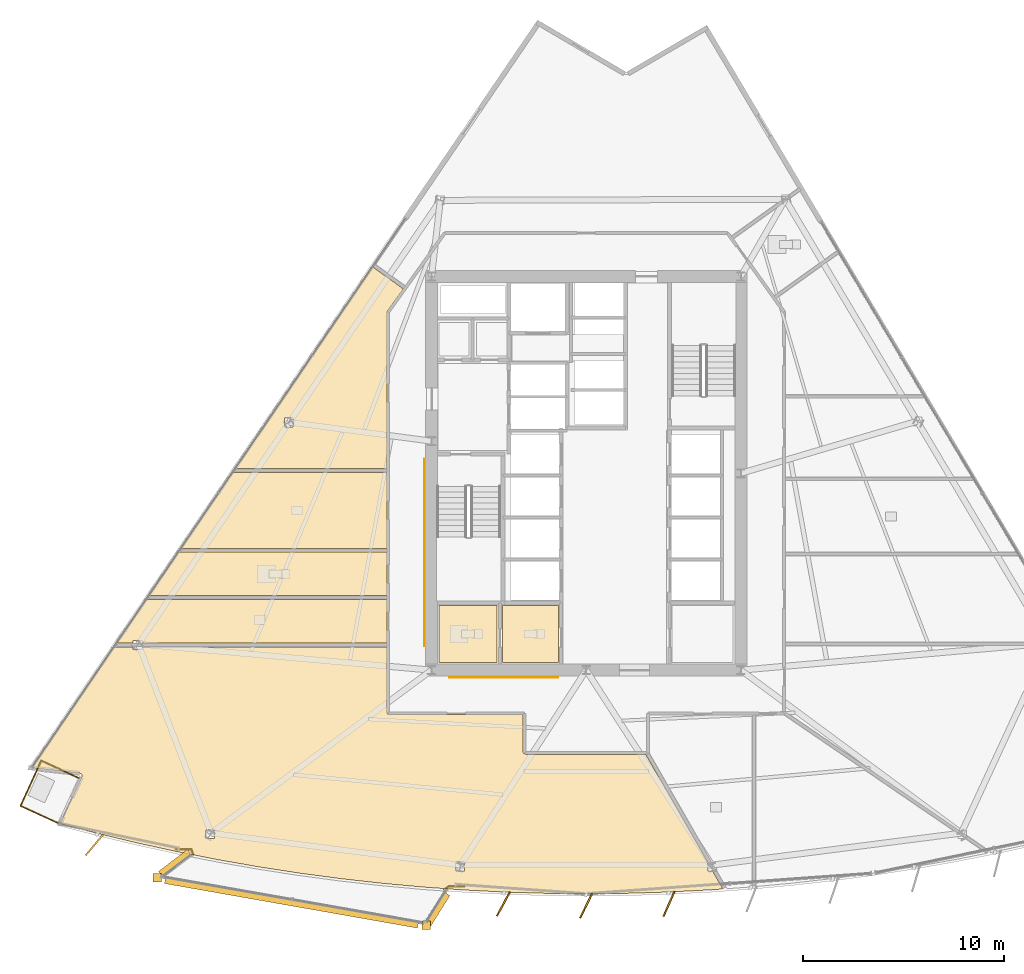
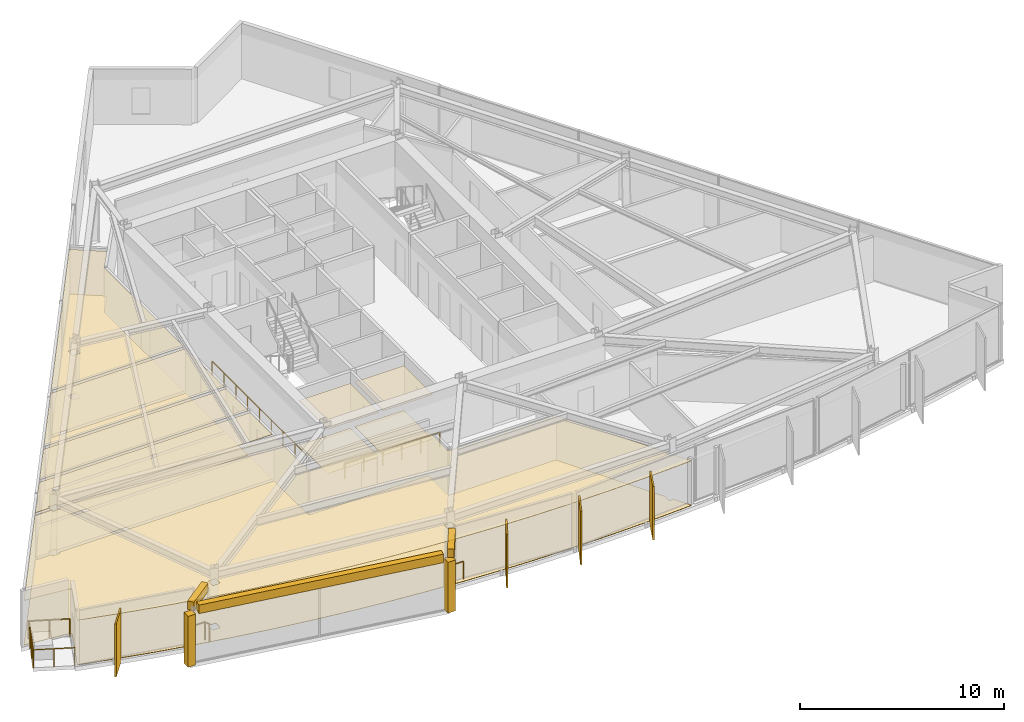
# One storey, part 11 of 15: 19 coverings, 7 railings, 4 shading devices.
"""IFC4 building model written with IfcOpenShell, lengths in metres."""

import ifcopenshell
import ifcopenshell.guid

model = None  # the IFC model being written
_history = None  # IfcOwnerHistory: only IFC2X3 demands one
_inside = {}  # id of a spatial element -> (the spatial element, [elements in it])
_under = {}  # id of a project, library or spatial element -> (it, [spatial elements below it])
_declared = {}  # id of a project -> (the project, [libraries it declares])
_typed = {}  # id of a type object -> (the type object, [elements of that type])
_made_of = {}  # id of a material, layer set ... -> (it, [elements and type objects made of it])


def new_model(schema):
    """Start an empty IFC model of exactly this schema.

    Asked for "IFC4X3", IfcOpenShell would pick the latest addendum, in which some entities
    have other attributes; the version numbers below select the first issue.
    IFC2X3 requires an IfcOwnerHistory on every rooted entity: one is made here for all.
    """
    global model, _history
    if schema == "IFC4X3":
        model = ifcopenshell.file(schema_version=(4, 3, 0, 0))
    else:
        model = ifcopenshell.file(schema=schema)
    _inside.clear()
    _under.clear()
    _declared.clear()
    _typed.clear()
    _made_of.clear()
    _history = None
    if model.schema == "IFC2X3":
        org = make("IfcOrganization", Name="unknown")
        user = make(
            "IfcPersonAndOrganization",
            ThePerson=make("IfcPerson", FamilyName="unknown"),
            TheOrganization=org,
        )
        app = make(
            "IfcApplication",
            ApplicationDeveloper=org,
            Version="unknown",
            ApplicationFullName="unknown",
            ApplicationIdentifier="unknown",
        )
        _history = make(
            "IfcOwnerHistory",
            OwningUser=user,
            OwningApplication=app,
            ChangeAction="ADDED",
            CreationDate=0,
        )
    return model


def make(cls, **values):
    """One entity of the class cls with the attributes given. An attribute that is None is left unset."""
    return model.create_entity(
        cls, **{name: value for name, value in values.items() if value is not None}
    )


def rooted(cls, **values):
    """An entity with a GlobalId (a new one), such as an element, a storey or a relation."""
    return make(cls, GlobalId=ifcopenshell.guid.new(), OwnerHistory=_history, **values)


def si_unit(unit_type, name, prefix=None):
    """IfcSIUnit, for example si_unit("LENGTHUNIT", "METRE", prefix="MILLI")."""
    return make("IfcSIUnit", UnitType=unit_type, Prefix=prefix, Name=name)


def assignment(units):
    """IfcUnitAssignment: the units of a project."""
    return None if units is None else make("IfcUnitAssignment", Units=units)


def point(xyz):
    """IfcCartesianPoint."""
    return None if xyz is None else make("IfcCartesianPoint", Coordinates=xyz)


def direction(xyz):
    """IfcDirection."""
    return None if xyz is None else make("IfcDirection", DirectionRatios=xyz)


def frame(location, z_axis=None, x_axis=None):
    """IfcAxis2Placement3D, a coordinate frame: its origin and axes. An axis left out is left unset."""
    return make(
        "IfcAxis2Placement3D",
        Location=point(location),
        Axis=direction(z_axis),
        RefDirection=direction(x_axis),
    )


def frame_2d(location, x_axis=None):
    """IfcAxis2Placement2D, a coordinate frame in the plane: its origin and x axis."""
    return make(
        "IfcAxis2Placement2D", Location=point(location), RefDirection=direction(x_axis)
    )


def origin():
    """The frame at (0, 0, 0) with its axes left unset."""
    return frame((0.0, 0.0, 0.0))


def origin_2d():
    """The frame at (0, 0) in the plane with its x axis left unset."""
    return frame_2d((0.0, 0.0))


def place(relative_to, where):
    """IfcLocalPlacement: puts the frame where relative to a parent placement (None: the world)."""
    return make(
        "IfcLocalPlacement", PlacementRelTo=relative_to, RelativePlacement=where
    )


def context(
    kind, dimensions, precision=None, world=None, true_north=None, identifier=None
):
    """IfcGeometricRepresentationContext, for example the 3D "Model" context."""
    return make(
        "IfcGeometricRepresentationContext",
        ContextIdentifier=identifier,
        ContextType=kind,
        CoordinateSpaceDimension=dimensions,
        Precision=precision,
        WorldCoordinateSystem=world,
        TrueNorth=true_north,
    )


def subcontext(parent, identifier, kind, view, scale=None):
    """IfcGeometricRepresentationSubContext, for example "Body" below "Model"."""
    return make(
        "IfcGeometricRepresentationSubContext",
        ContextIdentifier=identifier,
        ContextType=kind,
        ParentContext=parent,
        TargetScale=scale,
        TargetView=view,
    )


def project(units=None, contexts=None):
    """IfcProject with its units and contexts."""
    return rooted(
        "IfcProject",
        Name="project",
        RepresentationContexts=contexts,
        UnitsInContext=assignment(units),
    )


def spatial(cls, under=None, at=None, **own):
    """A site, building, storey or space (cls), placed at a placement, below another one or the project."""
    s = rooted(cls, ObjectPlacement=at, **own)
    if under is not None:
        _under.setdefault(under.id(), (under, []))[1].append(s)
    return s


def polyline(points):
    """IfcPolyline through the points."""
    return make("IfcPolyline", Points=[point(p) for p in points])


def profile(cls, at=None, kind="AREA", **sizes):
    """A parametric profile (cls). Its sizes go by their IFC names, for example OverallWidth=200.0."""
    return make(cls, ProfileType=kind, Position=at, **sizes)


def rectangle(**sizes):
    """IfcRectangleProfileDef."""
    return profile("IfcRectangleProfileDef", **sizes)


def circle(**sizes):
    """IfcCircleProfileDef."""
    return profile("IfcCircleProfileDef", **sizes)


def outline(outer, holes=None, kind="AREA"):
    """IfcArbitraryClosedProfileDef: a profile drawn as a closed curve; with holes, ...WithVoids."""
    if holes is None:
        return make("IfcArbitraryClosedProfileDef", ProfileType=kind, OuterCurve=outer)
    return make(
        "IfcArbitraryProfileDefWithVoids",
        ProfileType=kind,
        OuterCurve=outer,
        InnerCurves=holes,
    )


def extrude(swept, where, along, depth):
    """IfcExtrudedAreaSolid: the profile swept, set in the frame where, extruded along a direction by depth."""
    return make(
        "IfcExtrudedAreaSolid",
        SweptArea=swept,
        Position=where,
        ExtrudedDirection=direction(along),
        Depth=depth,
    )


def shape(context_of_items, identifier, shape_type, items):
    """IfcShapeRepresentation: the items that make up one representation, for example the "Body"."""
    return make(
        "IfcShapeRepresentation",
        ContextOfItems=context_of_items,
        RepresentationIdentifier=identifier,
        RepresentationType=shape_type,
        Items=items,
    )


def material(Name=None, Category=None):
    """IfcMaterial."""
    return make("IfcMaterial", Name=Name, Category=Category)


def layer(
    of_material, thickness, ventilated=None, Name=None, Category=None, Priority=None
):
    """IfcMaterialLayer: one layer of a wall or slab, of a material (None: an air gap)."""
    return make(
        "IfcMaterialLayer",
        Material=of_material,
        LayerThickness=thickness,
        IsVentilated=ventilated,
        Name=Name,
        Category=Category,
        Priority=Priority,
    )


def layer_set(layers, Name=None):
    """IfcMaterialLayerSet."""
    return make("IfcMaterialLayerSet", MaterialLayers=layers, LayerSetName=Name)


def made_of(thing, what):
    """Note that an element or type object is made of a material, layer set ...; save() writes the relation."""
    if what is not None:
        _made_of.setdefault(what.id(), (what, []))[1].append(thing)
    return thing


def type_object(cls, material=None, **own):
    """A type object (cls), such as IfcWallType, which elements share."""
    return made_of(rooted(cls, **own), material)


def element(
    cls,
    number,
    at=None,
    inside=None,
    cuts=None,
    type_object=None,
    material=None,
    context=None,
    identifier="Body",
    shape_type=None,
    held_by="IfcProductDefinitionShape",
    body=None,
    shapes=None,
    **own,
):
    """One element of the class cls, such as IfcWall. Its Tag is "e" and its number.

    at: its placement. inside: the storey or other place that contains it. cuts: it is an
    opening in that element (IfcRelVoidsElement). A single representation is given by context,
    identifier, shape_type and body (its items); several are given by shapes. held_by: the class
    of the entity that holds the representations. save() writes the other relations.
    """
    e = rooted(cls, Tag="e%d" % number, ObjectPlacement=at, **own)
    if body is not None:
        shapes = [shape(context, identifier, shape_type, body)]
    if shapes is not None:
        e.Representation = make(held_by, Representations=shapes)
    if inside is not None:
        _inside.setdefault(inside.id(), (inside, []))[1].append(e)
    if cuts is not None:
        rooted(
            "IfcRelVoidsElement", RelatingBuildingElement=cuts, RelatedOpeningElement=e
        )
    if type_object is not None:
        _typed.setdefault(type_object.id(), (type_object, []))[1].append(e)
    return made_of(e, material)


def aggregate(whole, parts):
    """IfcRelAggregates: a whole, such as a stair, and the parts it consists of."""
    return rooted("IfcRelAggregates", RelatingObject=whole, RelatedObjects=parts)


def save(model, path):
    """Write the relations noted so far, then the file.

    IfcRelAggregates (storeys below a building ...), IfcRelContainedInSpatialStructure (elements
    in a storey), IfcRelDefinesByType, IfcRelAssociatesMaterial and IfcRelDeclares: one each for
    every whole, place, type object, material and project.
    """
    for whole, parts in _under.values():
        aggregate(whole, parts)
    for where, things in _inside.values():
        rooted(
            "IfcRelContainedInSpatialStructure",
            RelatedElements=things,
            RelatingStructure=where,
        )
    for kind, things in _typed.values():
        rooted("IfcRelDefinesByType", RelatedObjects=things, RelatingType=kind)
    for what, things in _made_of.values():
        rooted("IfcRelAssociatesMaterial", RelatedObjects=things, RelatingMaterial=what)
    for by, libraries in _declared.values():
        rooted("IfcRelDeclares", RelatingContext=by, RelatedDefinitions=libraries)
    model.write(path)


model = new_model("IFC4")

# Units and contexts
model_context = context("Model", 3, precision=1e-05, world=origin(), true_north=direction((0.0, 1.0)))
body_context = subcontext(model_context, "Body", "Model", "MODEL_VIEW")
ifc_project = project(units=[si_unit("LENGTHUNIT", "METRE"), si_unit("AREAUNIT", "SQUARE_METRE"), si_unit("VOLUMEUNIT", "CUBIC_METRE"), si_unit("PLANEANGLEUNIT", "RADIAN"), si_unit("MASSUNIT", "GRAM", prefix="KILO")], contexts=[model_context])

# Site, building, storey
site_placement = place(None, origin())
site = spatial("IfcSite", under=ifc_project, at=site_placement, CompositionType="ELEMENT")
building_placement = place(site_placement, origin())
building = spatial("IfcBuilding", under=site, at=building_placement, Name="Savorim Split Tower", CompositionType="ELEMENT")
storey_placement = place(building_placement, frame((0.0, 0.0, 107.699951171875)))
storey = spatial("IfcBuildingStorey", under=building, at=storey_placement, Name="L28", CompositionType="ELEMENT", Elevation=107.699951171875)

# Coverings
ifc_material_1 = material(Name="Mineral Fibre Acoustic Ceiling")
ifc_layer_1 = layer(ifc_material_1, 0.02490234375)
ifc_layer_set_1 = layer_set([ifc_layer_1], Name="COV-CEIL-25")
covering_type_1 = type_object("IfcCoveringType", Name="COV-CEIL-25", PredefinedType="CEILING", material=ifc_layer_set_1)
covering_1_placement = place(storey_placement, frame((0.0, 0.0, 2.670166015625)))
element("IfcCovering", 1, at=covering_1_placement, inside=storey, type_object=covering_type_1, Name="L28 Shared Bathroom Acoustic Ceiling", PredefinedType="CEILING", context=body_context, shape_type="SweptSolid", body=[
    extrude(outline(polyline([(-7.320068359375, -6.179931640625), (-7.320068359375, -9.02001953125), (-4.429931640625, -9.02001953125), (-4.429931640625, -6.179931640625), (-7.320068359375, -6.179931640625)])), origin(), (0.0, 0.0, 1.0), 0.02490234375),
])
covering_2_placement = place(storey_placement, frame((0.0, 0.0, 2.670166015625)))
element("IfcCovering", 2, at=covering_2_placement, inside=storey, type_object=covering_type_1, Name="L28 Accessible WC Acoustic Ceiling", PredefinedType="CEILING", context=body_context, shape_type="SweptSolid", body=[
    extrude(outline(polyline([(-4.169921875, -6.179931640625), (-4.169921875, -9.02001953125), (-1.3798828125, -9.02001953125), (-1.3798828125, -6.179931640625), (-4.169921875, -6.179931640625)])), origin(), (0.0, 0.0, 1.0), 0.02490234375),
])
covering_3_placement = place(storey_placement, frame((0.0, 0.0, 2.670166015625)))
element("IfcCovering", 3, at=covering_3_placement, inside=storey, type_object=covering_type_1, Name="L28 Shared Kitchen Acoustic Ceiling", PredefinedType="CEILING", context=body_context, shape_type="SweptSolid", body=[
    extrude(outline(polyline([(-17.597412109375, 0.44677734375), (-20.173095703125, -3.33984375), (-9.919921875, -3.33984375), (-9.919921875, 0.44677734375), (-17.597412109375, 0.44677734375)])), origin(), (0.0, 0.0, 1.0), 0.02490234375),
])
covering_4_placement = place(storey_placement, frame((0.0, 0.0, 2.670166015625)))
element("IfcCovering", 4, at=covering_4_placement, inside=storey, type_object=covering_type_1, Name="L28 Shared Bathroom Acoustic Ceiling", PredefinedType="CEILING", context=body_context, shape_type="SweptSolid", body=[
    extrude(outline(polyline([(-20.302490234375, -3.52978515625), (-21.7744140625, -5.693603515625), (-9.919921875, -5.693603515625), (-9.919921875, -3.52978515625), (-20.302490234375, -3.52978515625)])), origin(), (0.0, 0.0, 1.0), 0.02490234375),
])
covering_5_placement = place(storey_placement, frame((0.0, 0.0, 2.670166015625)))
element("IfcCovering", 5, at=covering_5_placement, inside=storey, type_object=covering_type_1, Name="L28 Community Laundry Room Acoustic Ceiling", PredefinedType="CEILING", context=body_context, shape_type="SweptSolid", body=[
    extrude(outline(polyline([(-22.12646484375, -7.924560546875), (-22.12646484375, -8.047607421875), (-9.919921875, -8.047607421875), (-9.919921875, -5.8837890625), (-21.90380859375, -5.8837890625), (-23.375732421875, -8.047607421875), (-22.552490234375, -8.047607421875), (-22.552490234375, -7.924560546875), (-22.12646484375, -7.924560546875)])), origin(), (0.0, 0.0, 1.0), 0.02490234375),
])
covering_6_placement = place(storey_placement, frame((0.0, 0.0, 2.670166015625)))
element("IfcCovering", 6, at=covering_6_placement, inside=storey, type_object=covering_type_1, Name="L28 Co-Working Commons Acoustic Ceiling", PredefinedType="CEILING", context=body_context, shape_type="SweptSolid", body=[
    extrude(outline(polyline([(-25.099609375, -14.64453125), (-25.099365234375, -14.656494140625), (-25.100341796875, -14.66845703125), (-25.1025390625, -14.68017578125), (-25.105712890625, -14.691650390625), (-25.1103515625, -14.70263671875), (-26.186279296875, -17.044921875), (-24.34130859375, -17.52734375), (-22.348876953125, -18.005126953125), (-20.34716796875, -18.44189453125), (-18.336669921875, -18.837890625), (-16.318603515625, -19.1923828125), (-14.2939453125, -19.505615234375), (-12.262939453125, -19.77734375), (-10.22705078125, -20.007568359375), (-8.186767578125, -20.196044921875), (-6.14306640625, -20.342529296875), (-4.0966796875, -20.447509765625), (-2.048828125, -20.51025390625), (0.0, -20.53125), (2.048828125, -20.51025390625), (4.0966796875, -20.447509765625), (6.14306640625, -20.342529296875), (6.804443359375, -20.295166015625), (6.287109375, -19.3916015625), (6.058837890625, -19.3916015625), (6.058837890625, -18.99267578125), (2.9833984375, -13.62060546875), (2.966064453125, -13.590087890625), (-3.0, -13.590087890625), (-3.013671875, -13.58935546875), (-3.02734375, -13.58740234375), (-3.04052734375, -13.583984375), (-3.0537109375, -13.579345703125), (-3.06591796875, -13.573486328125), (-3.077880859375, -13.56640625), (-3.0888671875, -13.55810546875), (-3.09912109375, -13.549072265625), (-3.108154296875, -13.538818359375), (-3.116455078125, -13.52783203125), (-3.12353515625, -13.51611328125), (-3.12939453125, -13.503662109375), (-3.134033203125, -13.490478515625), (-3.13720703125, -13.477294921875), (-3.139404296875, -13.463623046875), (-3.139892578125, -13.449951171875), (-3.139892578125, -11.6201171875), (-9.780029296875, -11.6201171875), (-9.793701171875, -11.619384765625), (-9.807373046875, -11.6171875), (-9.820556640625, -11.614013671875), (-9.83349609375, -11.609375), (-9.845947265625, -11.603515625), (-9.85791015625, -11.596435546875), (-9.868896484375, -11.588134765625), (-9.87890625, -11.5791015625), (-9.88818359375, -11.56884765625), (-9.896484375, -11.557861328125), (-9.903564453125, -11.5458984375), (-9.9091796875, -11.53369140625), (-9.9140625, -11.5205078125), (-9.917236328125, -11.50732421875), (-9.919189453125, -11.49365234375), (-9.919921875, -11.47998046875), (-9.919921875, -8.237548828125), (-22.12646484375, -8.237548828125), (-22.12646484375, -8.360595703125), (-22.552490234375, -8.360595703125), (-22.552490234375, -8.237548828125), (-23.3798828125, -8.237548828125), (-23.47509765625, -8.237548828125), (-23.47509765625, -8.193359375), (-27.605712890625, -14.265380859375), (-25.2060546875, -14.533203125), (-25.194091796875, -14.535400390625), (-25.1826171875, -14.538330078125), (-25.17138671875, -14.54248046875), (-25.160888671875, -14.5478515625), (-25.150634765625, -14.55419921875), (-25.141357421875, -14.561279296875), (-25.132568359375, -14.569580078125), (-25.124755859375, -14.57861328125), (-25.117919921875, -14.58837890625), (-25.112060546875, -14.598876953125), (-25.107177734375, -14.609619140625), (-25.103515625, -14.62109375), (-25.10107421875, -14.6328125), (-25.099609375, -14.64453125)]), holes=[polyline([(-18.926025390625, -17.794189453125), (-18.5, -17.794189453125), (-18.5, -17.358154296875), (-18.926025390625, -17.358154296875), (-18.926025390625, -17.794189453125)]), polyline([(-6.48486328125, -19.3916015625), (-6.058837890625, -19.3916015625), (-6.058837890625, -18.95556640625), (-6.48486328125, -18.95556640625), (-6.48486328125, -19.3916015625)])]), origin(), (0.0, 0.0, 1.0), 0.02490234375),
])
covering_7_placement = place(storey_placement, frame((0.0, 0.0, 2.670166015625)))
element("IfcCovering", 7, at=covering_7_placement, inside=storey, type_object=covering_type_1, Name="L28 Quiet Study Room Acoustic Ceiling", PredefinedType="CEILING", context=body_context, shape_type="SweptSolid", body=[
    extrude(outline(polyline([(-9.908203125, 8.456298828125), (-9.901611328125, 8.46923828125), (-9.893798828125, 8.4814453125), (-9.10498046875, 9.58251953125), (-10.63623046875, 10.679443359375), (-17.468017578125, 0.63671875), (-9.919921875, 0.63671875), (-9.919921875, 8.39990234375), (-9.919189453125, 8.41455078125), (-9.9169921875, 8.4287109375), (-9.913330078125, 8.44287109375), (-9.908203125, 8.456298828125)]), holes=[polyline([(-15.0224609375, 3.14453125), (-15.0224609375, 2.70849609375), (-14.596435546875, 2.70849609375), (-14.596435546875, 3.14453125), (-15.0224609375, 3.14453125)])]), origin(), (0.0, 0.0, 1.0), 0.02490234375),
])
ifc_material_2 = material(Name="Porcelain Stoneware Flooring", Category="masonry")
ifc_layer_2 = layer(ifc_material_2, 0.02001953125)
ifc_layer_set_2 = layer_set([ifc_layer_2], Name="COV-FLOR-20")
covering_type_2 = type_object("IfcCoveringType", Name="COV-FLOR-20", PredefinedType="FLOORING", material=ifc_layer_set_2)
covering_8_placement = place(storey_placement, origin())
element("IfcCovering", 8, at=covering_8_placement, inside=storey, type_object=covering_type_2, Name="L28 Shared Bathroom Porcelain Flooring", PredefinedType="FLOORING", context=body_context, shape_type="SweptSolid", body=[
    extrude(outline(polyline([(-7.320068359375, -6.179931640625), (-7.320068359375, -9.02001953125), (-4.429931640625, -9.02001953125), (-4.429931640625, -6.179931640625), (-7.320068359375, -6.179931640625)])), origin(), (0.0, 0.0, 1.0), 0.02001953125),
])
covering_9_placement = place(storey_placement, origin())
element("IfcCovering", 9, at=covering_9_placement, inside=storey, type_object=covering_type_2, Name="L28 Accessible WC Porcelain Flooring", PredefinedType="FLOORING", context=body_context, shape_type="SweptSolid", body=[
    extrude(outline(polyline([(-4.169921875, -6.179931640625), (-4.169921875, -9.02001953125), (-1.3798828125, -9.02001953125), (-1.3798828125, -6.179931640625), (-4.169921875, -6.179931640625)])), origin(), (0.0, 0.0, 1.0), 0.02001953125),
])
covering_10_placement = place(storey_placement, origin())
element("IfcCovering", 10, at=covering_10_placement, inside=storey, type_object=covering_type_2, Name="L28 Shared Kitchen Porcelain Flooring", PredefinedType="FLOORING", context=body_context, shape_type="SweptSolid", body=[
    extrude(outline(polyline([(-17.597412109375, 0.44677734375), (-20.173095703125, -3.33984375), (-9.919921875, -3.33984375), (-9.919921875, 0.44677734375), (-17.597412109375, 0.44677734375)])), origin(), (0.0, 0.0, 1.0), 0.02001953125),
])
covering_11_placement = place(storey_placement, origin())
element("IfcCovering", 11, at=covering_11_placement, inside=storey, type_object=covering_type_2, Name="L28 Shared Bathroom Porcelain Flooring", PredefinedType="FLOORING", context=body_context, shape_type="SweptSolid", body=[
    extrude(outline(polyline([(-20.302490234375, -3.52978515625), (-21.7744140625, -5.693603515625), (-9.919921875, -5.693603515625), (-9.919921875, -3.52978515625), (-20.302490234375, -3.52978515625)])), origin(), (0.0, 0.0, 1.0), 0.02001953125),
])
covering_12_placement = place(storey_placement, origin())
element("IfcCovering", 12, at=covering_12_placement, inside=storey, type_object=covering_type_2, Name="L28 Community Laundry Room Porcelain Flooring", PredefinedType="FLOORING", context=body_context, shape_type="SweptSolid", body=[
    extrude(outline(polyline([(-22.12646484375, -7.924560546875), (-22.12646484375, -8.047607421875), (-9.919921875, -8.047607421875), (-9.919921875, -5.8837890625), (-21.90380859375, -5.8837890625), (-23.375732421875, -8.047607421875), (-22.552490234375, -8.047607421875), (-22.552490234375, -7.924560546875), (-22.12646484375, -7.924560546875)])), origin(), (0.0, 0.0, 1.0), 0.02001953125),
])
covering_13_placement = place(storey_placement, origin())
element("IfcCovering", 13, at=covering_13_placement, inside=storey, type_object=covering_type_2, Name="L28 Co-Working Commons Porcelain Flooring", PredefinedType="FLOORING", context=body_context, shape_type="SweptSolid", body=[
    extrude(outline(polyline([(-25.099609375, -14.64453125), (-25.099365234375, -14.656494140625), (-25.100341796875, -14.66845703125), (-25.1025390625, -14.68017578125), (-25.105712890625, -14.691650390625), (-25.1103515625, -14.70263671875), (-26.186279296875, -17.044921875), (-24.34130859375, -17.52734375), (-22.348876953125, -18.005126953125), (-20.34716796875, -18.44189453125), (-18.336669921875, -18.837890625), (-16.318603515625, -19.1923828125), (-14.2939453125, -19.505615234375), (-12.262939453125, -19.77734375), (-10.22705078125, -20.007568359375), (-8.186767578125, -20.196044921875), (-6.14306640625, -20.342529296875), (-4.0966796875, -20.447509765625), (-2.048828125, -20.51025390625), (0.0, -20.53125), (2.048828125, -20.51025390625), (4.0966796875, -20.447509765625), (6.14306640625, -20.342529296875), (6.804443359375, -20.295166015625), (6.287109375, -19.3916015625), (6.058837890625, -19.3916015625), (6.058837890625, -18.99267578125), (2.9833984375, -13.62060546875), (2.966064453125, -13.590087890625), (-3.0, -13.590087890625), (-3.013671875, -13.58935546875), (-3.02734375, -13.58740234375), (-3.04052734375, -13.583984375), (-3.0537109375, -13.579345703125), (-3.06591796875, -13.573486328125), (-3.077880859375, -13.56640625), (-3.0888671875, -13.55810546875), (-3.09912109375, -13.549072265625), (-3.108154296875, -13.538818359375), (-3.116455078125, -13.52783203125), (-3.12353515625, -13.51611328125), (-3.12939453125, -13.503662109375), (-3.134033203125, -13.490478515625), (-3.13720703125, -13.477294921875), (-3.139404296875, -13.463623046875), (-3.139892578125, -13.449951171875), (-3.139892578125, -11.6201171875), (-9.780029296875, -11.6201171875), (-9.793701171875, -11.619384765625), (-9.807373046875, -11.6171875), (-9.820556640625, -11.614013671875), (-9.83349609375, -11.609375), (-9.845947265625, -11.603515625), (-9.85791015625, -11.596435546875), (-9.868896484375, -11.588134765625), (-9.87890625, -11.5791015625), (-9.88818359375, -11.56884765625), (-9.896484375, -11.557861328125), (-9.903564453125, -11.5458984375), (-9.9091796875, -11.53369140625), (-9.9140625, -11.5205078125), (-9.917236328125, -11.50732421875), (-9.919189453125, -11.49365234375), (-9.919921875, -11.47998046875), (-9.919921875, -8.237548828125), (-22.12646484375, -8.237548828125), (-22.12646484375, -8.360595703125), (-22.552490234375, -8.360595703125), (-22.552490234375, -8.237548828125), (-23.3798828125, -8.237548828125), (-23.47509765625, -8.237548828125), (-23.47509765625, -8.193359375), (-27.605712890625, -14.265380859375), (-25.2060546875, -14.533203125), (-25.194091796875, -14.535400390625), (-25.1826171875, -14.538330078125), (-25.17138671875, -14.54248046875), (-25.160888671875, -14.5478515625), (-25.150634765625, -14.55419921875), (-25.141357421875, -14.561279296875), (-25.132568359375, -14.569580078125), (-25.124755859375, -14.57861328125), (-25.117919921875, -14.58837890625), (-25.112060546875, -14.598876953125), (-25.107177734375, -14.609619140625), (-25.103515625, -14.62109375), (-25.10107421875, -14.6328125), (-25.099609375, -14.64453125)]), holes=[polyline([(-18.926025390625, -17.794189453125), (-18.5, -17.794189453125), (-18.5, -17.358154296875), (-18.926025390625, -17.358154296875), (-18.926025390625, -17.794189453125)]), polyline([(-6.48486328125, -19.3916015625), (-6.058837890625, -19.3916015625), (-6.058837890625, -18.95556640625), (-6.48486328125, -18.95556640625), (-6.48486328125, -19.3916015625)])]), origin(), (0.0, 0.0, 1.0), 0.02001953125),
])
covering_14_placement = place(storey_placement, origin())
element("IfcCovering", 14, at=covering_14_placement, inside=storey, type_object=covering_type_2, Name="L28 Quiet Study Room Porcelain Flooring", PredefinedType="FLOORING", context=body_context, shape_type="SweptSolid", body=[
    extrude(outline(polyline([(-9.908203125, 8.456298828125), (-9.901611328125, 8.46923828125), (-9.893798828125, 8.4814453125), (-9.10498046875, 9.58251953125), (-10.63623046875, 10.679443359375), (-17.468017578125, 0.63671875), (-9.919921875, 0.63671875), (-9.919921875, 8.39990234375), (-9.919189453125, 8.41455078125), (-9.9169921875, 8.4287109375), (-9.913330078125, 8.44287109375), (-9.908203125, 8.456298828125)]), holes=[polyline([(-15.0224609375, 3.14453125), (-15.0224609375, 2.70849609375), (-14.596435546875, 2.70849609375), (-14.596435546875, 3.14453125), (-15.0224609375, 3.14453125)])]), origin(), (0.0, 0.0, 1.0), 0.02001953125),
])
ifc_material_3 = material(Name="White Porcelain Architectural Cladding")
ifc_layer_3 = layer(ifc_material_3, 0.139892578125)
ifc_layer_set_3 = layer_set([ifc_layer_3], Name="COV-FRM-WHITE")
covering_type_3 = type_object("IfcCoveringType", Name="COV-FRM-WHITE", PredefinedType="CLADDING", material=ifc_layer_set_3)
covering_15_placement = place(storey_placement, frame((0.0, 0.0, 3.080078125)))
element("IfcCovering", 15, at=covering_15_placement, inside=storey, type_object=covering_type_3, Name="L28 Cantilevered Lounge White Upper Cornice Band W", PredefinedType="CLADDING", context=body_context, shape_type="SweptSolid", body=[
    extrude(outline(polyline([(-19.857421875, -18.331787109375), (-21.292236328125, -19.41845703125), (-21.0869140625, -19.689697265625), (-19.652099609375, -18.602783203125), (-19.857421875, -18.331787109375)])), origin(), (0.0, 0.0, 1.0), 0.510009765625),
])
covering_16_placement = place(storey_placement, frame((0.0, 0.0, 3.080078125)))
element("IfcCovering", 16, at=covering_16_placement, inside=storey, type_object=covering_type_3, Name="L28 Cantilevered Lounge White Upper Cornice Band F", PredefinedType="CLADDING", context=body_context, shape_type="SweptSolid", body=[
    extrude(outline(polyline([(-20.9951171875, -20.02490234375), (-8.399169921875, -22.24658203125), (-8.340087890625, -21.911865234375), (-20.93603515625, -19.690185546875), (-20.9951171875, -20.02490234375)])), origin(), (0.0, 0.0, 1.0), 0.510009765625),
])
covering_17_placement = place(storey_placement, frame((0.0, 0.0, 3.080078125)))
element("IfcCovering", 17, at=covering_17_placement, inside=storey, type_object=covering_type_3, Name="L28 Cantilevered Lounge White Upper Cornice Band E", PredefinedType="CLADDING", context=body_context, shape_type="SweptSolid", body=[
    extrude(outline(polyline([(-7.738037109375, -22.148681640625), (-6.781494140625, -20.623779296875), (-7.069580078125, -20.443115234375), (-8.026123046875, -21.968017578125), (-7.738037109375, -22.148681640625)])), origin(), (0.0, 0.0, 1.0), 0.510009765625),
])
covering_18_placement = place(storey_placement, frame((0.0, 0.0, 0.010009765625)))
element("IfcCovering", 18, at=covering_18_placement, inside=storey, type_object=covering_type_3, Name="L28 Cantilevered Lounge White Frame Corner Post 1", PredefinedType="CLADDING", context=body_context, shape_type="SweptSolid", body=[
    extrude(outline(polyline([(-21.560791015625, -19.94873046875), (-21.140625, -19.94873046875), (-21.140625, -19.52880859375), (-21.560791015625, -19.52880859375), (-21.560791015625, -19.94873046875)])), origin(), (0.0, 0.0, 1.0), 3.050048828125),
])
covering_19_placement = place(storey_placement, frame((0.0, 0.0, 0.010009765625)))
element("IfcCovering", 19, at=covering_19_placement, inside=storey, type_object=covering_type_3, Name="L28 Cantilevered Lounge White Frame Corner Post 2", PredefinedType="CLADDING", context=body_context, shape_type="SweptSolid", body=[
    extrude(outline(polyline([(-8.177001953125, -22.3095703125), (-7.757080078125, -22.3095703125), (-7.757080078125, -21.889404296875), (-8.177001953125, -21.889404296875), (-8.177001953125, -22.3095703125)])), origin(), (0.0, 0.0, 1.0), 3.050048828125),
])

# Railings
ifc_material_4 = material(Name="Galvanised Painted Steel Balustrade", Category="steel")
railing_type_1 = type_object("IfcRailingType", Name="RLG-BAL-1100", PredefinedType="BALUSTRADE", material=ifc_material_4)
railing_1_placement = place(storey_placement, frame((-20.440673828125, -18.308837890625, 0.0)))
element("IfcRailing", 20, at=railing_1_placement, inside=storey, type_object=railing_type_1, Name="L28 Cantilevered Lounge West Edge Closure Guard", PredefinedType="BALUSTRADE", context=body_context, shape_type="SweptSolid", body=[
    extrude(circle(Radius=0.02392578125, at=origin_2d()), frame((0.0, 0.0, 1.076171875), z_axis=(1.0, 0.0, 0.0), x_axis=(0.0, 1.0, 0.0)), (0.0, 0.0, 1.0), 0.780029296875),
    extrude(circle(Radius=0.02392578125, at=origin_2d()), frame((0.780029296875, 0.0, 1.076171875), z_axis=(0.327651820851, -0.944798541644, 0.0), x_axis=(0.944798541644, 0.327651820851, 0.0)), (0.0, 0.0, 1.0), 0.29443359375),
    extrude(circle(Radius=0.02099609375, at=origin_2d()), origin(), (0.0, 0.0, 1.0), 1.052001953125),
    extrude(circle(Radius=0.02099609375, at=origin_2d()), frame((0.780029296875, 0.0, 0.0)), (0.0, 0.0, 1.0), 1.052001953125),
    extrude(circle(Radius=0.02099609375, at=origin_2d()), frame((0.87646484375, -0.278076171875, 0.0)), (0.0, 0.0, 1.0), 1.052001953125),
])
railing_2_placement = place(storey_placement, frame((-7.067626953125, -20.318115234375, 0.0)))
element("IfcRailing", 21, at=railing_2_placement, inside=storey, type_object=railing_type_1, Name="L28 Cantilevered Lounge East Edge Closure Guard", PredefinedType="BALUSTRADE", context=body_context, shape_type="SweptSolid", body=[
    extrude(circle(Radius=0.02392578125, at=origin_2d()), frame((0.0, 0.0, 1.076171875), z_axis=(0.810013375231, 0.586411401617, 0.0), x_axis=(-0.586411401617, 0.810013375231, 0.0)), (0.0, 0.0, 1.0), 0.280517578125),
    extrude(circle(Radius=0.02392578125, at=origin_2d()), frame((0.227294921875, 0.16455078125, 1.076171875), z_axis=(1.0, 0.0, 0.0), x_axis=(0.0, 1.0, 0.0)), (0.0, 0.0, 1.0), 0.780029296875),
    extrude(circle(Radius=0.02099609375, at=origin_2d()), origin(), (0.0, 0.0, 1.0), 1.052001953125),
    extrude(circle(Radius=0.02099609375, at=origin_2d()), frame((0.227294921875, 0.16455078125, 0.0)), (0.0, 0.0, 1.0), 1.052001953125),
    extrude(circle(Radius=0.02099609375, at=origin_2d()), frame((1.00732421875, 0.16455078125, 0.0)), (0.0, 0.0, 1.0), 1.052001953125),
])
railing_3_placement = place(storey_placement, frame((-26.30517578125, -17.015869140625, 0.0)))
element("IfcRailing", 22, at=railing_3_placement, inside=storey, type_object=railing_type_1, Name="L28 Tree Balcony Guardrail SW-1", PredefinedType="BALUSTRADE", context=body_context, shape_type="SweptSolid", body=[
    extrude(circle(Radius=0.02392578125, at=origin_2d()), frame((0.0, 0.0, 1.076171875), z_axis=(-0.908662190505, 0.417532062898, 0.0), x_axis=(-0.417532062898, -0.908662190505, 0.0)), (0.0, 0.0, 1.0), 2.050048828125),
    extrude(circle(Radius=0.02099609375, at=origin_2d()), origin(), (0.0, 0.0, 1.0), 1.052001953125),
    extrude(circle(Radius=0.02099609375, at=origin_2d()), frame((-0.931396484375, 0.427978515625, 0.0)), (0.0, 0.0, 1.0), 1.052001953125),
    extrude(circle(Radius=0.02099609375, at=origin_2d()), frame((-1.86279296875, 0.85595703125, 0.0)), (0.0, 0.0, 1.0), 1.052001953125),
])
railing_4_placement = place(storey_placement, frame((-28.16796875, -16.159912109375, 0.0)))
element("IfcRailing", 23, at=railing_4_placement, inside=storey, type_object=railing_type_1, Name="L28 Tree Balcony Guardrail SW-2", PredefinedType="BALUSTRADE", context=body_context, shape_type="SweptSolid", body=[
    extrude(circle(Radius=0.02392578125, at=origin_2d()), frame((0.0, 0.0, 1.076171875), z_axis=(0.417566056069, 0.908646569805, 0.0), x_axis=(-0.908646569805, 0.417566056069, 0.0)), (0.0, 0.0, 1.0), 2.480712890625),
    extrude(circle(Radius=0.02099609375, at=origin_2d()), origin(), (0.0, 0.0, 1.0), 1.052001953125),
    extrude(circle(Radius=0.02099609375, at=origin_2d()), frame((0.34521484375, 0.75146484375, 0.0)), (0.0, 0.0, 1.0), 1.052001953125),
    extrude(circle(Radius=0.02099609375, at=origin_2d()), frame((0.690673828125, 1.502685546875, 0.0)), (0.0, 0.0, 1.0), 1.052001953125),
    extrude(circle(Radius=0.02099609375, at=origin_2d()), frame((1.035888671875, 2.254150390625, 0.0)), (0.0, 0.0, 1.0), 1.052001953125),
])
railing_5_placement = place(storey_placement, frame((-27.132080078125, -13.90576171875, 0.0)))
element("IfcRailing", 24, at=railing_5_placement, inside=storey, type_object=railing_type_1, Name="L28 Tree Balcony Guardrail SW-3", PredefinedType="BALUSTRADE", context=body_context, shape_type="SweptSolid", body=[
    extrude(circle(Radius=0.02392578125, at=origin_2d()), frame((0.0, 0.0, 1.076171875), z_axis=(0.908662190505, -0.417532062898, 0.0), x_axis=(0.417532062898, 0.908662190505, 0.0)), (0.0, 0.0, 1.0), 2.050048828125),
    extrude(circle(Radius=0.02099609375, at=origin_2d()), origin(), (0.0, 0.0, 1.0), 1.052001953125),
    extrude(circle(Radius=0.02099609375, at=origin_2d()), frame((0.931396484375, -0.427978515625, 0.0)), (0.0, 0.0, 1.0), 1.052001953125),
    extrude(circle(Radius=0.02099609375, at=origin_2d()), frame((1.86279296875, -0.85595703125, 0.0)), (0.0, 0.0, 1.0), 1.052001953125),
])
railing_type_2 = type_object("IfcRailingType", Name="RLG-HR-900", PredefinedType="HANDRAIL", material=ifc_material_4)
railing_6_placement = place(storey_placement, frame((-6.800048828125, -9.75, 0.0)))
element("IfcRailing", 25, at=railing_6_placement, inside=storey, type_object=railing_type_2, Name="L28 Corridor South Accessible Handrail", PredefinedType="HANDRAIL", context=body_context, shape_type="SweptSolid", body=[
    extrude(circle(Radius=0.02392578125, at=origin_2d()), frame((0.0, 0.0, 0.8759765625), z_axis=(1.0, 0.0, 0.0), x_axis=(0.0, 1.0, 0.0)), (0.0, 0.0, 1.0), 5.400146484375),
    extrude(circle(Radius=0.02099609375, at=origin_2d()), origin(), (0.0, 0.0, 1.0), 0.851806640625),
    extrude(circle(Radius=0.02099609375, at=origin_2d()), frame((1.080078125, 0.0, 0.0)), (0.0, 0.0, 1.0), 0.851806640625),
    extrude(circle(Radius=0.02099609375, at=origin_2d()), frame((2.16015625, 0.0, 0.0)), (0.0, 0.0, 1.0), 0.851806640625),
    extrude(circle(Radius=0.02099609375, at=origin_2d()), frame((3.239990234375, 0.0, 0.0)), (0.0, 0.0, 1.0), 0.851806640625),
    extrude(circle(Radius=0.02099609375, at=origin_2d()), frame((4.320068359375, 0.0, 0.0)), (0.0, 0.0, 1.0), 0.851806640625),
    extrude(circle(Radius=0.02099609375, at=origin_2d()), frame((5.400146484375, 0.0, 0.0)), (0.0, 0.0, 1.0), 0.851806640625),
])
railing_7_placement = place(storey_placement, frame((-8.050048828125, -8.199951171875, 0.0)))
element("IfcRailing", 26, at=railing_7_placement, inside=storey, type_object=railing_type_2, Name="L28 Corridor West Accessible Handrail", PredefinedType="HANDRAIL", context=body_context, shape_type="SweptSolid", body=[
    extrude(circle(Radius=0.02392578125, at=origin_2d()), frame((0.0, 0.0, 0.8759765625), z_axis=(0.0, 1.0, 0.0), x_axis=(-1.0, 0.0, 0.0)), (0.0, 0.0, 1.0), 9.300048828125),
    extrude(circle(Radius=0.02099609375, at=origin_2d()), origin(), (0.0, 0.0, 1.0), 0.851806640625),
    extrude(circle(Radius=0.02099609375, at=origin_2d()), frame((0.0, 1.16259765625, 0.0)), (0.0, 0.0, 1.0), 0.851806640625),
    extrude(circle(Radius=0.02099609375, at=origin_2d()), frame((0.0, 2.324951171875, 0.0)), (0.0, 0.0, 1.0), 0.851806640625),
    extrude(circle(Radius=0.02099609375, at=origin_2d()), frame((0.0, 3.487548828125, 0.0)), (0.0, 0.0, 1.0), 0.851806640625),
    extrude(circle(Radius=0.02099609375, at=origin_2d()), frame((0.0, 4.64990234375, 0.0)), (0.0, 0.0, 1.0), 0.851806640625),
    extrude(circle(Radius=0.02099609375, at=origin_2d()), frame((0.0, 5.8125, 0.0)), (0.0, 0.0, 1.0), 0.851806640625),
    extrude(circle(Radius=0.02099609375, at=origin_2d()), frame((0.0, 6.97509765625, 0.0)), (0.0, 0.0, 1.0), 0.851806640625),
    extrude(circle(Radius=0.02099609375, at=origin_2d()), frame((0.0, 8.137451171875, 0.0)), (0.0, 0.0, 1.0), 0.851806640625),
    extrude(circle(Radius=0.02099609375, at=origin_2d()), frame((0.0, 9.300048828125, 0.0)), (0.0, 0.0, 1.0), 0.851806640625),
])

# Shading devices
ifc_material_5 = material(Name="Terracotta Ceramic-Coated Aluminium Fin", Category="masonry")
shading_device_type = type_object("IfcShadingDeviceType", Name="SHD-FIN-1360", PredefinedType="USERDEFINED", material=ifc_material_5)
for number, where, z_axis, x_axis, name in (
    (27, (-24.486328125, -18.105712890625, -0.19970703125), (0.0, 0.0, 1.0), (-0.643719022682, -0.765261928909, 0.0), "L28 Sawtooth Shading Fin 01"),
    (28, (-4.12109375, -21.04296875, -0.19970703125), (0.0, 0.0, 1.0), (-0.474778051978, -0.880105562623, 0.0), "L28 Sawtooth Shading Fin 06"),
    (29, (0.0, -21.127197265625, -0.19970703125), (0.0, 0.0, 1.0), (-0.438371146789, -0.898794046299, 0.0), "L28 Sawtooth Shading Fin 07"),
    (30, (4.12109375, -21.04296875, -0.19970703125), (0.0, 0.0, 1.0), (-0.401230091723, -0.915977299662, 0.0), "L28 Sawtooth Shading Fin 08"),
):
    element("IfcShadingDevice", number, at=place(storey_placement, frame(where, z_axis=z_axis, x_axis=x_axis)), inside=storey, type_object=shading_device_type, Name=name, ObjectType="FIN", PredefinedType="USERDEFINED", context=body_context, shape_type="SweptSolid", body=[
        extrude(rectangle(XDim=1.360107421875, YDim=0.080078125, at=origin_2d()), origin(), (0.0, 0.0, 1.0), 3.199951171875),
    ])

save(model, "model.ifc")
